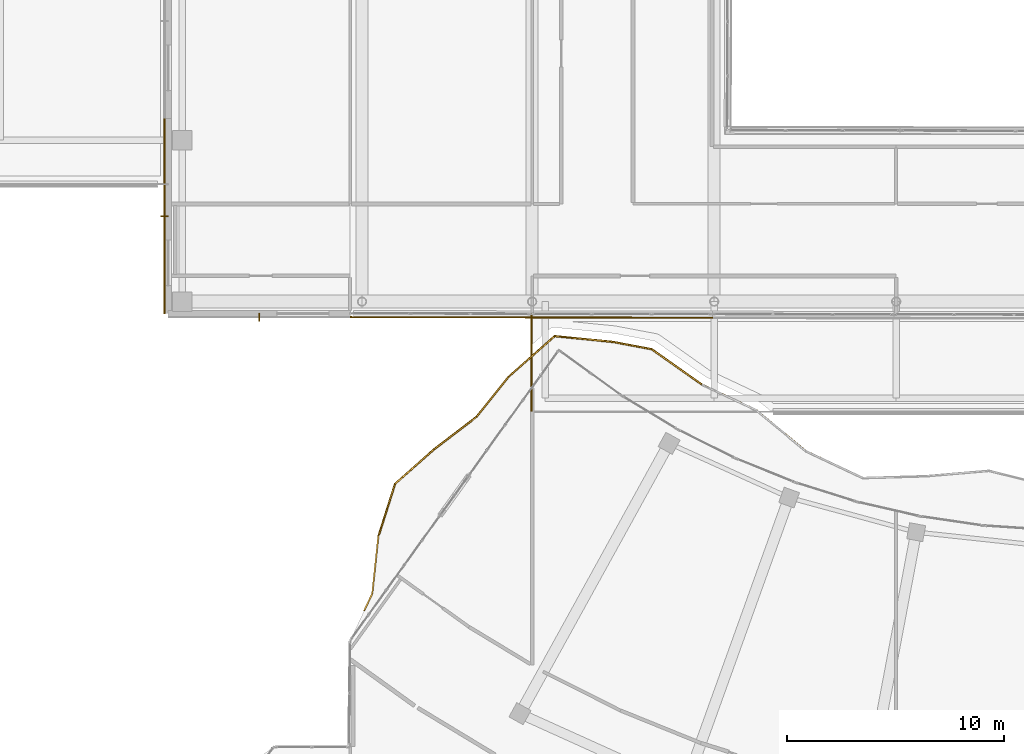
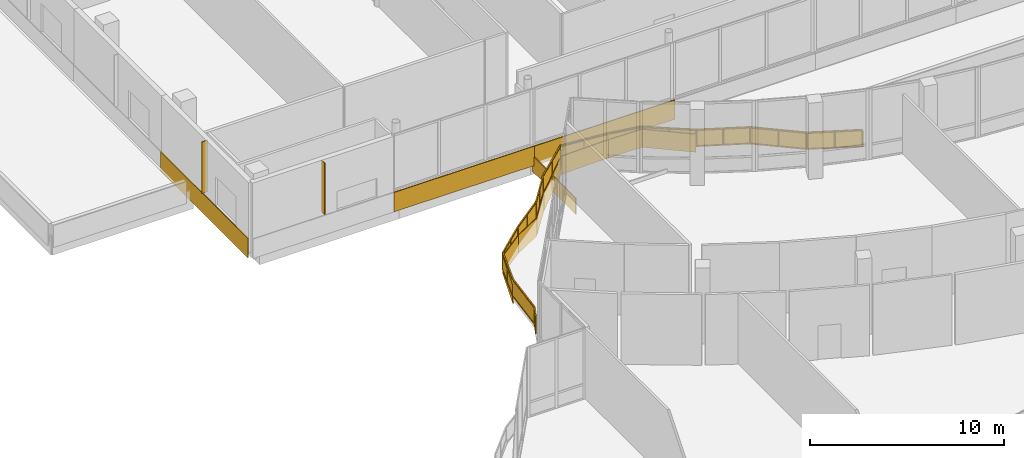
# One storey, part 155 of 168: 12 coverings, 2 shading devices, 1 railing.
"""IFC4 building model written with IfcOpenShell, lengths in metres."""

from ifc_helpers import new_model, si_unit, direction, frame, origin, origin_2d, place, context, subcontext, project, spatial, polyline, rectangle, outline, extrude, material, layer, layer_set, type_object, element, save


model = new_model("IFC4")

# Units and contexts
model_context = context("Model", 3, precision=1e-05, world=origin(), true_north=direction((0.0, 1.0)))
body_context = subcontext(model_context, "Body", "Model", "MODEL_VIEW")
ifc_project = project(units=[si_unit("LENGTHUNIT", "METRE"), si_unit("AREAUNIT", "SQUARE_METRE"), si_unit("VOLUMEUNIT", "CUBIC_METRE"), si_unit("PLANEANGLEUNIT", "RADIAN"), si_unit("MASSUNIT", "GRAM", prefix="KILO")], contexts=[model_context])

# Site, building, storey
site_placement = place(None, origin())
site = spatial("IfcSite", under=ifc_project, at=site_placement, CompositionType="ELEMENT")
building_placement = place(site_placement, origin())
building = spatial("IfcBuilding", under=site, at=building_placement, Name="Selatvlak General Hospital", CompositionType="ELEMENT")
storey_placement = place(building_placement, frame((0.0, 0.0, 5.39990234375)))
storey = spatial("IfcBuildingStorey", under=building, at=storey_placement, Name="L01", CompositionType="ELEMENT", Elevation=5.39990234375)

# Coverings
ifc_material_1 = material(Name="PVDF aluminium fascia - ochre yellow", Category="aluminium")
ifc_layer_1 = layer(ifc_material_1, 0.070068359375, Name="PVDF aluminium fascia - ochre yellow", Category="aluminium")
ifc_layer_set_1 = layer_set([ifc_layer_1], Name="PVDF aluminium fascia - ochre yellow")
covering_type_1 = type_object("IfcCoveringType", Name="COV-RB-YEL", PredefinedType="CLADDING", material=ifc_layer_set_1)
covering_1_placement = place(storey_placement, frame((36.722900390625, 50.35302734375, -0.179931640625), z_axis=(0.0, 0.0, 1.0), x_axis=(-0.982696500238, 0.185223077448, 0.0)))
element("IfcCovering", 1, at=covering_1_placement, inside=storey, type_object=covering_type_1, Name="L01 De Stijl waving fascia streamer 103", PredefinedType="CLADDING", context=body_context, shape_type="SweptSolid", body=[
    extrude(outline(polyline([(0.0, 0.0), (1.82958984375, -0.241943359375), (1.82958984375, 0.89794921875), (0.0, 1.139892578125), (0.0, 0.0)])), frame((0.0, 0.03515625, 0.0), z_axis=(0.0, -1.0, 0.0), x_axis=(1.0, 0.0, 0.0)), (0.0, 0.0, 1.0), 0.070068359375),
])
covering_2_placement = place(storey_placement, frame((34.930908203125, 50.69091796875, -0.421875), z_axis=(0.0, 0.0, 1.0), x_axis=(-0.995107323, 0.098799877082, 0.0)))
element("IfcCovering", 2, at=covering_2_placement, inside=storey, type_object=covering_type_1, Name="L01 De Stijl waving fascia streamer 104", PredefinedType="CLADDING", context=body_context, shape_type="SweptSolid", body=[
    extrude(outline(polyline([(0.0, 0.0), (2.713134765625, -0.276123046875), (2.713134765625, 0.86376953125), (0.0, 1.139892578125), (0.0, 0.0)])), frame((0.0, 0.03515625, 0.0), z_axis=(0.0, -1.0, 0.0), x_axis=(1.0, 0.0, 0.0)), (0.0, 0.0, 1.0), 0.070068359375),
])
covering_3_placement = place(storey_placement, frame((32.240966796875, 50.9599609375, -0.697998046875), z_axis=(0.0, 0.0, 1.0), x_axis=(-0.748330504966, -0.663326055072, 0.0)))
element("IfcCovering", 3, at=covering_3_placement, inside=storey, type_object=covering_type_1, Name="L01 De Stijl waving fascia streamer 105", PredefinedType="CLADDING", context=body_context, shape_type="SweptSolid", body=[
    extrude(outline(polyline([(0.0, 0.0), (2.84912109375, -0.44580078125), (2.84912109375, 0.694091796875), (0.0, 1.139892578125), (0.0, 0.0)])), frame((0.0, 0.03515625, 0.0), z_axis=(0.0, -1.0, 0.0), x_axis=(1.0, 0.0, 0.0)), (0.0, 0.0, 1.0), 0.070068359375),
])
covering_4_placement = place(storey_placement, frame((30.113037109375, 49.072998046875, -1.143798828125), z_axis=(0.0, 0.0, 1.0), x_axis=(-0.626484238893, -0.779434088566, 0.0)))
element("IfcCovering", 4, at=covering_4_placement, inside=storey, type_object=covering_type_1, Name="L01 De Stijl waving fascia streamer 106", PredefinedType="CLADDING", context=body_context, shape_type="SweptSolid", body=[
    extrude(outline(polyline([(0.0, 0.0), (2.36083984375, 0.0869140625), (2.36083984375, 1.226806640625), (0.0, 1.139892578125), (0.0, 0.0)])), frame((0.0, 0.03515625, 0.0), z_axis=(0.0, -1.0, 0.0), x_axis=(1.0, 0.0, 0.0)), (0.0, 0.0, 1.0), 0.070068359375),
])
covering_5_placement = place(storey_placement, frame((28.634033203125, 47.23291015625, -1.056884765625), z_axis=(0.0, 0.0, 1.0), x_axis=(-0.794641797105, -0.607078589883, 0.0)))
element("IfcCovering", 5, at=covering_5_placement, inside=storey, type_object=covering_type_1, Name="L01 De Stijl waving fascia streamer 107", PredefinedType="CLADDING", context=body_context, shape_type="SweptSolid", body=[
    extrude(outline(polyline([(0.0, 0.0), (2.464111328125, 0.498046875), (2.464111328125, 1.637939453125), (0.0, 1.139892578125), (0.0, 0.0)])), frame((0.0, 0.03515625, 0.0), z_axis=(0.0, -1.0, 0.0), x_axis=(1.0, 0.0, 0.0)), (0.0, 0.0, 1.0), 0.070068359375),
])
covering_6_placement = place(storey_placement, frame((26.676025390625, 45.737060546875, -0.558837890625), z_axis=(0.0, 0.0, 1.0), x_axis=(-0.747085860102, -0.664727551434, 0.0)))
element("IfcCovering", 6, at=covering_6_placement, inside=storey, type_object=covering_type_1, Name="L01 De Stijl waving fascia streamer 108", PredefinedType="CLADDING", context=body_context, shape_type="SweptSolid", body=[
    extrude(outline(polyline([(0.0, 0.0), (2.416015625, 0.365966796875), (2.416015625, 1.505859375), (0.0, 1.139892578125), (0.0, 0.0)])), frame((0.0, 0.03515625, 0.0), z_axis=(0.0, -1.0, 0.0), x_axis=(1.0, 0.0, 0.0)), (0.0, 0.0, 1.0), 0.070068359375),
])
covering_7_placement = place(storey_placement, frame((24.87109375, 44.131103515625, -0.19287109375), z_axis=(0.0, 0.0, 1.0), x_axis=(-0.302760796331, -0.953066577006, 0.0)))
element("IfcCovering", 7, at=covering_7_placement, inside=storey, type_object=covering_type_1, Name="L01 De Stijl waving fascia streamer 109", PredefinedType="CLADDING", context=body_context, shape_type="SweptSolid", body=[
    extrude(outline(polyline([(0.0, 0.0), (2.48046875, -0.238037109375), (2.48046875, 0.90185546875), (0.0, 1.139892578125), (0.0, 0.0)])), frame((0.0, 0.03515625, 0.0), z_axis=(0.0, -1.0, 0.0), x_axis=(1.0, 0.0, 0.0)), (0.0, 0.0, 1.0), 0.070068359375),
])
covering_8_placement = place(storey_placement, frame((39.01904296875, 48.72802734375, -0.31884765625), z_axis=(0.0, 0.0, 1.0), x_axis=(-0.816428615744, 0.577446374474, 0.0)))
element("IfcCovering", 8, at=covering_8_placement, inside=storey, type_object=covering_type_1, Name="L01 De Stijl waving fascia streamer 203", PredefinedType="CLADDING", context=body_context, shape_type="SweptSolid", body=[
    extrude(outline(polyline([(0.0, 0.0), (2.8125, 0.138916015625), (2.8125, 1.27880859375), (0.0, 1.139892578125), (0.0, 0.0)])), frame((0.0, 0.03515625, 0.0), z_axis=(0.0, -1.0, 0.0), x_axis=(1.0, 0.0, 0.0)), (0.0, 0.0, 1.0), 0.070068359375),
])
ifc_material_2 = material(Name="White Bauhaus fair-faced cladding panel")
ifc_layer_2 = layer(ifc_material_2, 0.054931640625, Name="White Bauhaus fair-faced cladding panel")
ifc_layer_set_2 = layer_set([ifc_layer_2], Name="White Bauhaus fair-faced cladding panel")
covering_type_2 = type_object("IfcCoveringType", Name="COV-WHT1", PredefinedType="CLADDING", material=ifc_layer_set_2)
covering_9_placement = place(storey_placement, frame((14.235107421875, 56.5, -0.27978515625), z_axis=(0.0, 0.0, 1.0), x_axis=(0.0, 1.0, 0.0)))
element("IfcCovering", 9, at=covering_9_placement, inside=storey, type_object=covering_type_2, Name="L01 Bauhaus horizontal white spandrel band 0042", PredefinedType="CLADDING", context=body_context, shape_type="SweptSolid", body=[
    extrude(rectangle(XDim=9.0, YDim=0.054931640625, at=origin_2d()), origin(), (0.0, 0.0, 1.0), 1.219970703125),
])
for number, where, z_axis, x_axis, name in (
    (10, (35.35205078125, 51.81298828125, -0.27978515625), (0.0, 0.0, 1.0), (-0.999998384157, 0.001797688161, 0.0), "L01 Bauhaus horizontal white spandrel band 0083"),
    (11, (26.989990234375, 51.827880859375, -0.27978515625), (0.0, 0.0, 1.0), (-0.999998384157, 0.001797688161, 0.0), "L01 Bauhaus horizontal white spandrel band 0084"),
):
    element("IfcCovering", number, at=place(storey_placement, frame(where, z_axis=z_axis, x_axis=x_axis)), inside=storey, type_object=covering_type_2, Name=name, PredefinedType="CLADDING", context=body_context, shape_type="SweptSolid", body=[
        extrude(rectangle(XDim=8.362060546875, YDim=0.054931640625, at=origin_2d()), origin(), (0.0, 0.0, 1.0), 1.219970703125),
    ])
covering_10_placement = place(storey_placement, frame((31.169921875, 49.75, -0.75), z_axis=(0.0, 0.0, 1.0), x_axis=(0.0, 1.0, 0.0)))
element("IfcCovering", 12, at=covering_10_placement, inside=storey, type_object=covering_type_2, Name="L01 Main hall colonnade fascia W 0583", PredefinedType="CLADDING", context=body_context, shape_type="SweptSolid", body=[
    extrude(rectangle(XDim=4.5, YDim=0.054931640625, at=origin_2d()), origin(), (0.0, 0.0, 1.0), 1.0),
])

# Railing
ifc_material_3 = material(Name="Stainless steel 316 safety balustrade", Category="steel")
railing_type = type_object("IfcRailingType", Name="RAIL-BAL1", PredefinedType="BALUSTRADE", material=ifc_material_3)
railing_placement = place(storey_placement, frame((23.455078125, 38.299072265625, 0.0)))
element("IfcRailing", 13, at=railing_placement, inside=storey, type_object=railing_type, Name="L01 continuous curved balcony balustrade 0011", PredefinedType="BALUSTRADE", context=body_context, shape_type="SweptSolid", body=[
    extrude(rectangle(XDim=0.068115234375, YDim=0.068115234375, at=origin_2d()), frame((0.001220703125, 0.002685546875, 1.0859375), z_axis=(0.426658106427, 0.904412992067, 0.0), x_axis=(-0.904412992067, 0.426658106427, 0.0)), (0.0, 0.0, 1.0), 0.854248046875),
    extrude(rectangle(XDim=0.068115234375, YDim=0.068115234375, at=origin_2d()), frame((0.001220703125, 0.002685546875, 0.049072265625), z_axis=(0.426658106427, 0.904412992067, 0.0), x_axis=(-0.904412992067, 0.426658106427, 0.0)), (0.0, 0.0, 1.0), 0.854248046875),
    extrude(outline(polyline([(0.0, 0.0), (0.84814453125, 0.0), (0.84814453125, 0.94189453125), (0.0, 0.94189453125), (0.0, 0.0)])), frame((-0.013671875, 0.01318359375, 0.0849609375), z_axis=(0.904412992067, -0.426658106427, 0.0), x_axis=(0.426658106427, 0.904412992067, 0.0)), (0.0, 0.0, 1.0), 0.031982421875),
    extrude(rectangle(XDim=0.068115234375, YDim=0.068115234375, at=origin_2d()), frame((0.3671875, 0.78076171875, 1.0859375), z_axis=(0.105335631635, 0.994436727353, 0.0), x_axis=(-0.994436727353, 0.105335631635, 0.0)), (0.0, 0.0, 1.0), 2.708251953125),
    extrude(rectangle(XDim=0.068115234375, YDim=0.068115234375, at=origin_2d()), frame((0.3671875, 0.78076171875, 0.049072265625), z_axis=(0.105335631635, 0.994436727353, 0.0), x_axis=(-0.994436727353, 0.105335631635, 0.0)), (0.0, 0.0, 1.0), 2.708251953125),
    extrude(outline(polyline([(0.0, 0.0), (2.7021484375, 0.0), (2.7021484375, 0.94189453125), (0.0, 0.94189453125), (0.0, 0.0)])), frame((0.349609375, 0.78564453125, 0.0849609375), z_axis=(0.994436727353, -0.105335631635, 0.0), x_axis=(0.105335631635, 0.994436727353, 0.0)), (0.0, 0.0, 1.0), 0.031982421875),
    extrude(rectangle(XDim=0.068115234375, YDim=0.068115234375, at=origin_2d()), frame((0.65380859375, 3.4794921875, 1.0859375), z_axis=(0.302760796331, 0.953066577006, 0.0), x_axis=(-0.953066577006, 0.302760796331, 0.0)), (0.0, 0.0, 1.0), 2.474609375),
    extrude(rectangle(XDim=0.068115234375, YDim=0.068115234375, at=origin_2d()), frame((0.65380859375, 3.4794921875, 0.049072265625), z_axis=(0.302760796331, 0.953066577006, 0.0), x_axis=(-0.953066577006, 0.302760796331, 0.0)), (0.0, 0.0, 1.0), 2.474609375),
    extrude(outline(polyline([(0.0, 0.0), (2.468505859375, 0.0), (2.468505859375, 0.94189453125), (0.0, 0.94189453125), (0.0, 0.0)])), frame((0.637451171875, 3.488037109375, 0.0849609375), z_axis=(0.953066577006, -0.302760796331, 0.0), x_axis=(0.302760796331, 0.953066577006, 0.0)), (0.0, 0.0, 1.0), 0.031982421875),
    extrude(rectangle(XDim=0.068115234375, YDim=0.068115234375, at=origin_2d()), frame((1.406005859375, 5.8427734375, 1.0859375), z_axis=(0.747080328627, 0.664733768195, 0.0), x_axis=(-0.664733768195, 0.747080328627, 0.0)), (0.0, 0.0, 1.0), 2.410400390625),
    extrude(rectangle(XDim=0.068115234375, YDim=0.068115234375, at=origin_2d()), frame((1.406005859375, 5.8427734375, 0.049072265625), z_axis=(0.747080328627, 0.664733768195, 0.0), x_axis=(-0.664733768195, 0.747080328627, 0.0)), (0.0, 0.0, 1.0), 2.410400390625),
    extrude(outline(polyline([(0.0, 0.0), (2.404296875, 0.0), (2.404296875, 0.94189453125), (0.0, 0.94189453125), (0.0, 0.0)])), frame((1.396240234375, 5.858154296875, 0.0849609375), z_axis=(0.664733768195, -0.747080328627, 0.0), x_axis=(0.747080328627, 0.664733768195, 0.0)), (0.0, 0.0, 1.0), 0.031982421875),
    extrude(rectangle(XDim=0.068115234375, YDim=0.068115234375, at=origin_2d()), frame((3.21142578125, 7.44873046875, 1.0859375), z_axis=(0.794641797105, 0.607078589883, 0.0), x_axis=(-0.607078589883, 0.794641797105, 0.0)), (0.0, 0.0, 1.0), 2.458251953125),
    extrude(rectangle(XDim=0.068115234375, YDim=0.068115234375, at=origin_2d()), frame((3.21142578125, 7.44873046875, 0.049072265625), z_axis=(0.794641797105, 0.607078589883, 0.0), x_axis=(-0.607078589883, 0.794641797105, 0.0)), (0.0, 0.0, 1.0), 2.458251953125),
    extrude(outline(polyline([(0.0, 0.0), (2.451904296875, 0.0), (2.451904296875, 0.94189453125), (0.0, 0.94189453125), (0.0, 0.0)])), frame((3.202880859375, 7.465087890625, 0.0849609375), z_axis=(0.607078589883, -0.794641797105, 0.0), x_axis=(0.794641797105, 0.607078589883, 0.0)), (0.0, 0.0, 1.0), 0.031982421875),
    extrude(rectangle(XDim=0.068115234375, YDim=0.068115234375, at=origin_2d()), frame((5.1689453125, 8.945068359375, 1.0859375), z_axis=(0.626484238893, 0.779434088566, 0.0), x_axis=(-0.779434088566, 0.626484238893, 0.0)), (0.0, 0.0, 1.0), 2.35498046875),
    extrude(rectangle(XDim=0.068115234375, YDim=0.068115234375, at=origin_2d()), frame((5.1689453125, 8.945068359375, 0.049072265625), z_axis=(0.626484238893, 0.779434088566, 0.0), x_axis=(-0.779434088566, 0.626484238893, 0.0)), (0.0, 0.0, 1.0), 2.35498046875),
    extrude(outline(polyline([(0.0, 0.0), (2.348876953125, 0.0), (2.348876953125, 0.94189453125), (0.0, 0.94189453125), (0.0, 0.0)])), frame((5.15673828125, 8.958740234375, 0.0849609375), z_axis=(0.779434088566, -0.626484238893, 0.0), x_axis=(0.626484238893, 0.779434088566, 0.0)), (0.0, 0.0, 1.0), 0.031982421875),
    extrude(rectangle(XDim=0.068115234375, YDim=0.068115234375, at=origin_2d()), frame((6.648193359375, 10.784912109375, 1.0859375), z_axis=(0.748292797628, 0.663368592125, 0.0), x_axis=(-0.663368592125, 0.748292797628, 0.0)), (0.0, 0.0, 1.0), 2.843017578125),
    extrude(rectangle(XDim=0.068115234375, YDim=0.068115234375, at=origin_2d()), frame((6.648193359375, 10.784912109375, 0.049072265625), z_axis=(0.748292797628, 0.663368592125, 0.0), x_axis=(-0.663368592125, 0.748292797628, 0.0)), (0.0, 0.0, 1.0), 2.843017578125),
    extrude(outline(polyline([(0.0, 0.0), (2.8369140625, 0.0), (2.8369140625, 0.94189453125), (0.0, 0.94189453125), (0.0, 0.0)])), frame((6.638427734375, 10.80029296875, 0.0849609375), z_axis=(0.663368592125, -0.748292797628, 0.0), x_axis=(0.748292797628, 0.663368592125, 0.0)), (0.0, 0.0, 1.0), 0.031982421875),
    extrude(rectangle(XDim=0.068115234375, YDim=0.068115234375, at=origin_2d()), frame((8.78076171875, 12.672607421875, 1.0859375), z_axis=(0.995117042426, -0.098701934497, 0.0), x_axis=(0.098701934497, 0.995117042426, 0.0)), (0.0, 0.0, 1.0), 2.70751953125),
    extrude(rectangle(XDim=0.068115234375, YDim=0.068115234375, at=origin_2d()), frame((8.78076171875, 12.672607421875, 0.049072265625), z_axis=(0.995117042426, -0.098701934497, 0.0), x_axis=(0.098701934497, 0.995117042426, 0.0)), (0.0, 0.0, 1.0), 2.70751953125),
    extrude(outline(polyline([(0.0, 0.0), (2.701416015625, 0.0), (2.701416015625, 0.94189453125), (0.0, 0.94189453125), (0.0, 0.0)])), frame((8.78564453125, 12.690185546875, 0.0849609375), z_axis=(-0.098701934497, -0.995117042426, 0.0), x_axis=(0.995117042426, -0.098701934497, 0.0)), (0.0, 0.0, 1.0), 0.031982421875),
    extrude(rectangle(XDim=0.068115234375, YDim=0.068115234375, at=origin_2d()), frame((11.48095703125, 12.404541015625, 1.0859375), z_axis=(0.982672202802, -0.18535194048, 0.0), x_axis=(0.18535194048, 0.982672202802, 0.0)), (0.0, 0.0, 1.0), 1.82373046875),
    extrude(rectangle(XDim=0.068115234375, YDim=0.068115234375, at=origin_2d()), frame((11.48095703125, 12.404541015625, 0.049072265625), z_axis=(0.982672202802, -0.18535194048, 0.0), x_axis=(0.18535194048, 0.982672202802, 0.0)), (0.0, 0.0, 1.0), 1.82373046875),
    extrude(outline(polyline([(0.0, 0.0), (1.817626953125, 0.0), (1.817626953125, 0.94189453125), (0.0, 0.94189453125), (0.0, 0.0)])), frame((11.4873046875, 12.421630859375, 0.0849609375), z_axis=(-0.18535194048, -0.982672202802, 0.0), x_axis=(0.982672202802, -0.18535194048, 0.0)), (0.0, 0.0, 1.0), 0.031982421875),
    extrude(rectangle(XDim=0.068115234375, YDim=0.068115234375, at=origin_2d()), frame((13.2783203125, 12.064208984375, 1.0859375), z_axis=(0.816428615744, -0.577446374474, 0.0), x_axis=(0.577446374474, 0.816428615744, 0.0)), (0.0, 0.0, 1.0), 2.806640625),
    extrude(rectangle(XDim=0.068115234375, YDim=0.068115234375, at=origin_2d()), frame((13.2783203125, 12.064208984375, 0.049072265625), z_axis=(0.816428615744, -0.577446374474, 0.0), x_axis=(0.577446374474, 0.816428615744, 0.0)), (0.0, 0.0, 1.0), 2.806640625),
    extrude(outline(polyline([(0.0, 0.0), (2.800537109375, 0.0), (2.800537109375, 0.94189453125), (0.0, 0.94189453125), (0.0, 0.0)])), frame((13.291259765625, 12.0771484375, 0.0849609375), z_axis=(-0.577446374474, -0.816428615744, 0.0), x_axis=(0.816428615744, -0.577446374474, 0.0)), (0.0, 0.0, 1.0), 0.031982421875),
    extrude(rectangle(XDim=0.068115234375, YDim=0.068115234375, at=origin_2d()), frame((15.57470703125, 10.440673828125, 1.0859375), z_axis=(0.904441779007, -0.426597079675, 0.0), x_axis=(0.426597079675, 0.904441779007, 0.0)), (0.0, 0.0, 1.0), 2.785888671875),
    extrude(rectangle(XDim=0.068115234375, YDim=0.068115234375, at=origin_2d()), frame((15.57470703125, 10.440673828125, 0.049072265625), z_axis=(0.904441779007, -0.426597079675, 0.0), x_axis=(0.426597079675, 0.904441779007, 0.0)), (0.0, 0.0, 1.0), 2.785888671875),
    extrude(outline(polyline([(0.0, 0.0), (2.77978515625, 0.0), (2.77978515625, 0.94189453125), (0.0, 0.94189453125), (0.0, 0.0)])), frame((15.585205078125, 10.45556640625, 0.0849609375), z_axis=(-0.426597079675, -0.904441779007, 0.0), x_axis=(0.904441779007, -0.426597079675, 0.0)), (0.0, 0.0, 1.0), 0.031982421875),
    extrude(rectangle(XDim=0.068115234375, YDim=0.068115234375, at=origin_2d()), frame((18.09912109375, 9.2490234375, 1.0859375), z_axis=(0.771113128522, -0.636698156916, 0.0), x_axis=(0.636698156916, 0.771113128522, 0.0)), (0.0, 0.0, 1.0), 2.954833984375),
    extrude(rectangle(XDim=0.068115234375, YDim=0.068115234375, at=origin_2d()), frame((18.09912109375, 9.2490234375, 0.049072265625), z_axis=(0.771113128522, -0.636698156916, 0.0), x_axis=(0.636698156916, 0.771113128522, 0.0)), (0.0, 0.0, 1.0), 2.954833984375),
    extrude(outline(polyline([(0.0, 0.0), (2.948486328125, 0.0), (2.948486328125, 0.94189453125), (0.0, 0.94189453125), (0.0, 0.0)])), frame((18.113037109375, 9.260986328125, 0.0849609375), z_axis=(-0.636698156916, -0.771113128522, 0.0), x_axis=(0.771113128522, -0.636698156916, 0.0)), (0.0, 0.0, 1.0), 0.031982421875),
    extrude(rectangle(XDim=0.068115234375, YDim=0.068115234375, at=origin_2d()), frame((20.382568359375, 7.36474609375, 1.0859375), z_axis=(0.904645173194, -0.426165590607, 0.0), x_axis=(0.426165590607, 0.904645173194, 0.0)), (0.0, 0.0, 1.0), 2.89697265625),
    extrude(rectangle(XDim=0.068115234375, YDim=0.068115234375, at=origin_2d()), frame((20.382568359375, 7.36474609375, 0.049072265625), z_axis=(0.904645173194, -0.426165590607, 0.0), x_axis=(0.426165590607, 0.904645173194, 0.0)), (0.0, 0.0, 1.0), 2.89697265625),
    extrude(outline(polyline([(0.0, 0.0), (2.890869140625, 0.0), (2.890869140625, 0.94189453125), (0.0, 0.94189453125), (0.0, 0.0)])), frame((20.39306640625, 7.379638671875, 0.0849609375), z_axis=(-0.426165590607, -0.904645173194, 0.0), x_axis=(0.904645173194, -0.426165590607, 0.0)), (0.0, 0.0, 1.0), 0.031982421875),
    extrude(rectangle(XDim=0.055908203125, YDim=0.055908203125, at=origin_2d()), origin(), (0.0, 0.0, 1.0), 1.049072265625),
    extrude(rectangle(XDim=0.055908203125, YDim=0.055908203125, at=origin_2d()), frame((0.366943359375, 0.77783203125, 0.0)), (0.0, 0.0, 1.0), 1.049072265625),
    extrude(rectangle(XDim=0.055908203125, YDim=0.055908203125, at=origin_2d()), frame((0.509765625, 2.12744140625, 0.0)), (0.0, 0.0, 1.0), 1.049072265625),
    extrude(rectangle(XDim=0.055908203125, YDim=0.055908203125, at=origin_2d()), frame((0.65283203125, 3.476806640625, 0.0)), (0.0, 0.0, 1.0), 1.049072265625),
    extrude(rectangle(XDim=0.055908203125, YDim=0.055908203125, at=origin_2d()), frame((1.0283203125, 4.65869140625, 0.0)), (0.0, 0.0, 1.0), 1.049072265625),
    extrude(rectangle(XDim=0.055908203125, YDim=0.055908203125, at=origin_2d()), frame((1.40380859375, 5.8408203125, 0.0)), (0.0, 0.0, 1.0), 1.049072265625),
    extrude(rectangle(XDim=0.055908203125, YDim=0.055908203125, at=origin_2d()), frame((2.306396484375, 6.64404296875, 0.0)), (0.0, 0.0, 1.0), 1.049072265625),
    extrude(rectangle(XDim=0.055908203125, YDim=0.055908203125, at=origin_2d()), frame((3.208984375, 7.447021484375, 0.0)), (0.0, 0.0, 1.0), 1.049072265625),
    extrude(rectangle(XDim=0.055908203125, YDim=0.055908203125, at=origin_2d()), frame((4.18798828125, 8.19482421875, 0.0)), (0.0, 0.0, 1.0), 1.049072265625),
    extrude(rectangle(XDim=0.055908203125, YDim=0.055908203125, at=origin_2d()), frame((5.1669921875, 8.94287109375, 0.0)), (0.0, 0.0, 1.0), 1.049072265625),
    extrude(rectangle(XDim=0.055908203125, YDim=0.055908203125, at=origin_2d()), frame((5.906494140625, 9.86279296875, 0.0)), (0.0, 0.0, 1.0), 1.049072265625),
    extrude(rectangle(XDim=0.055908203125, YDim=0.055908203125, at=origin_2d()), frame((6.64599609375, 10.782958984375, 0.0)), (0.0, 0.0, 1.0), 1.049072265625),
    extrude(rectangle(XDim=0.055908203125, YDim=0.055908203125, at=origin_2d()), frame((7.7119140625, 11.72802734375, 0.0)), (0.0, 0.0, 1.0), 1.049072265625),
    extrude(rectangle(XDim=0.055908203125, YDim=0.055908203125, at=origin_2d()), frame((8.77783203125, 12.6728515625, 0.0)), (0.0, 0.0, 1.0), 1.049072265625),
    extrude(rectangle(XDim=0.055908203125, YDim=0.055908203125, at=origin_2d()), frame((10.1279296875, 12.5390625, 0.0)), (0.0, 0.0, 1.0), 1.049072265625),
    extrude(rectangle(XDim=0.055908203125, YDim=0.055908203125, at=origin_2d()), frame((11.47802734375, 12.405029296875, 0.0)), (0.0, 0.0, 1.0), 1.049072265625),
    extrude(rectangle(XDim=0.055908203125, YDim=0.055908203125, at=origin_2d()), frame((13.27587890625, 12.06591796875, 0.0)), (0.0, 0.0, 1.0), 1.049072265625),
    extrude(rectangle(XDim=0.055908203125, YDim=0.055908203125, at=origin_2d()), frame((14.423828125, 11.25390625, 0.0)), (0.0, 0.0, 1.0), 1.049072265625),
    extrude(rectangle(XDim=0.055908203125, YDim=0.055908203125, at=origin_2d()), frame((15.572021484375, 10.44189453125, 0.0)), (0.0, 0.0, 1.0), 1.049072265625),
    extrude(rectangle(XDim=0.055908203125, YDim=0.055908203125, at=origin_2d()), frame((16.83447265625, 9.846435546875, 0.0)), (0.0, 0.0, 1.0), 1.049072265625),
    extrude(rectangle(XDim=0.055908203125, YDim=0.055908203125, at=origin_2d()), frame((18.096923828125, 9.2509765625, 0.0)), (0.0, 0.0, 1.0), 1.049072265625),
    extrude(rectangle(XDim=0.055908203125, YDim=0.055908203125, at=origin_2d()), frame((19.23828125, 8.30859375, 0.0)), (0.0, 0.0, 1.0), 1.049072265625),
    extrude(rectangle(XDim=0.055908203125, YDim=0.055908203125, at=origin_2d()), frame((20.3798828125, 7.365966796875, 0.0)), (0.0, 0.0, 1.0), 1.049072265625),
    extrude(rectangle(XDim=0.055908203125, YDim=0.055908203125, at=origin_2d()), frame((21.69287109375, 6.74755859375, 0.0)), (0.0, 0.0, 1.0), 1.049072265625),
    extrude(rectangle(XDim=0.055908203125, YDim=0.055908203125, at=origin_2d()), frame((23.005859375, 6.12890625, 0.0)), (0.0, 0.0, 1.0), 1.049072265625),
])

# Shading devices
ifc_material_4 = material(Name="Anodised aluminium brise-soleil fin", Category="aluminium")
ifc_layer_3 = layer(ifc_material_4, 0.044921875, Name="Anodised aluminium brise-soleil fin", Category="aluminium")
ifc_layer_set_3 = layer_set([ifc_layer_3], Name="Anodised aluminium brise-soleil fin")
shading_device_type = type_object("IfcShadingDeviceType", Name="SHD-FIN1", PredefinedType="USERDEFINED", material=ifc_layer_set_3)
for number, where, z_axis, x_axis, name in (
    (14, (14.22802734375, 56.5, 1.1005859375), (0.0, 0.0, 1.0), (-1.0, 0.0, 0.0), "L01 monsoon vertical brise-soleil fin 198"),
    (15, (18.60498046875, 51.827880859375, 1.1005859375), (0.0, 0.0, 1.0), (0.0, -1.0, 0.0), "L01 monsoon vertical brise-soleil fin 238"),
):
    element("IfcShadingDevice", number, at=place(storey_placement, frame(where, z_axis=z_axis, x_axis=x_axis)), inside=storey, type_object=shading_device_type, Name=name, ObjectType="SUNSHADE", PredefinedType="USERDEFINED", context=body_context, shape_type="SweptSolid", body=[
        extrude(rectangle(XDim=0.35009765625, YDim=0.044921875, at=origin_2d()), origin(), (0.0, 0.0, 1.0), 3.2451171875),
    ])

save(model, "model.ifc")
